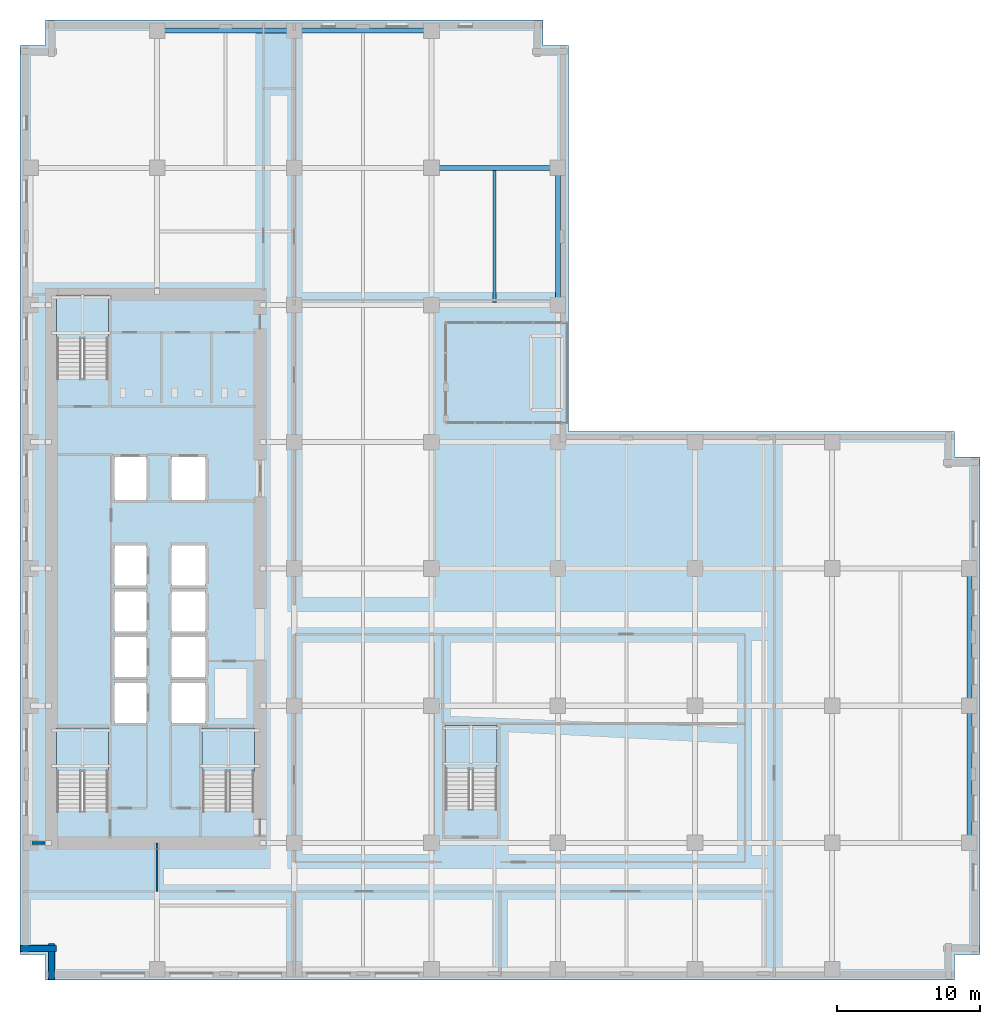
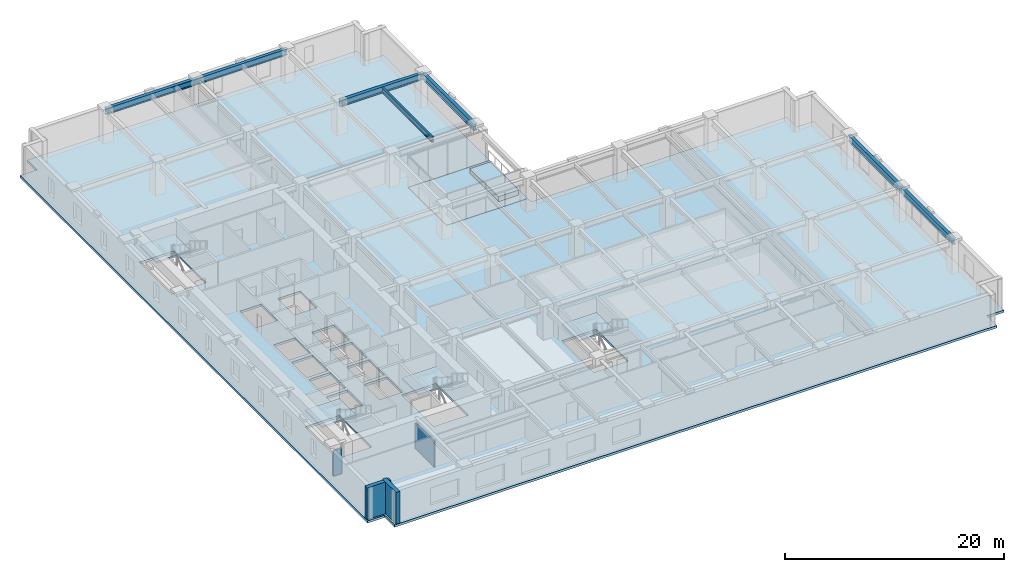
# One storey, part 3 of 16: 7 beams, 7 slabs, 4 walls, 4 elements without a shape of their own.
"""IFC4 building model written with IfcOpenShell, lengths in metres."""

import ifcopenshell
import ifcopenshell.guid

model = None  # the IFC model being written
_history = None  # IfcOwnerHistory: only IFC2X3 demands one
_inside = {}  # id of a spatial element -> (the spatial element, [elements in it])
_under = {}  # id of a project, library or spatial element -> (it, [spatial elements below it])
_declared = {}  # id of a project -> (the project, [libraries it declares])
_typed = {}  # id of a type object -> (the type object, [elements of that type])
_made_of = {}  # id of a material, layer set ... -> (it, [elements and type objects made of it])


def new_model(schema):
    """Start an empty IFC model of exactly this schema.

    Asked for "IFC4X3", IfcOpenShell would pick the latest addendum, in which some entities
    have other attributes; the version numbers below select the first issue.
    IFC2X3 requires an IfcOwnerHistory on every rooted entity: one is made here for all.
    """
    global model, _history
    if schema == "IFC4X3":
        model = ifcopenshell.file(schema_version=(4, 3, 0, 0))
    else:
        model = ifcopenshell.file(schema=schema)
    _inside.clear()
    _under.clear()
    _declared.clear()
    _typed.clear()
    _made_of.clear()
    _history = None
    if model.schema == "IFC2X3":
        org = make("IfcOrganization", Name="unknown")
        user = make(
            "IfcPersonAndOrganization",
            ThePerson=make("IfcPerson", FamilyName="unknown"),
            TheOrganization=org,
        )
        app = make(
            "IfcApplication",
            ApplicationDeveloper=org,
            Version="unknown",
            ApplicationFullName="unknown",
            ApplicationIdentifier="unknown",
        )
        _history = make(
            "IfcOwnerHistory",
            OwningUser=user,
            OwningApplication=app,
            ChangeAction="ADDED",
            CreationDate=0,
        )
    return model


def make(cls, **values):
    """One entity of the class cls with the attributes given. An attribute that is None is left unset."""
    return model.create_entity(
        cls, **{name: value for name, value in values.items() if value is not None}
    )


def rooted(cls, **values):
    """An entity with a GlobalId (a new one), such as an element, a storey or a relation."""
    return make(cls, GlobalId=ifcopenshell.guid.new(), OwnerHistory=_history, **values)


def si_unit(unit_type, name, prefix=None):
    """IfcSIUnit, for example si_unit("LENGTHUNIT", "METRE", prefix="MILLI")."""
    return make("IfcSIUnit", UnitType=unit_type, Prefix=prefix, Name=name)


def assignment(units):
    """IfcUnitAssignment: the units of a project."""
    return None if units is None else make("IfcUnitAssignment", Units=units)


def point(xyz):
    """IfcCartesianPoint."""
    return None if xyz is None else make("IfcCartesianPoint", Coordinates=xyz)


def direction(xyz):
    """IfcDirection."""
    return None if xyz is None else make("IfcDirection", DirectionRatios=xyz)


def frame(location, z_axis=None, x_axis=None):
    """IfcAxis2Placement3D, a coordinate frame: its origin and axes. An axis left out is left unset."""
    return make(
        "IfcAxis2Placement3D",
        Location=point(location),
        Axis=direction(z_axis),
        RefDirection=direction(x_axis),
    )


def frame_2d(location, x_axis=None):
    """IfcAxis2Placement2D, a coordinate frame in the plane: its origin and x axis."""
    return make(
        "IfcAxis2Placement2D", Location=point(location), RefDirection=direction(x_axis)
    )


def origin():
    """The frame at (0, 0, 0) with its axes left unset."""
    return frame((0.0, 0.0, 0.0))


def origin_2d():
    """The frame at (0, 0) in the plane with its x axis left unset."""
    return frame_2d((0.0, 0.0))


def place(relative_to, where):
    """IfcLocalPlacement: puts the frame where relative to a parent placement (None: the world)."""
    return make(
        "IfcLocalPlacement", PlacementRelTo=relative_to, RelativePlacement=where
    )


def context(
    kind, dimensions, precision=None, world=None, true_north=None, identifier=None
):
    """IfcGeometricRepresentationContext, for example the 3D "Model" context."""
    return make(
        "IfcGeometricRepresentationContext",
        ContextIdentifier=identifier,
        ContextType=kind,
        CoordinateSpaceDimension=dimensions,
        Precision=precision,
        WorldCoordinateSystem=world,
        TrueNorth=true_north,
    )


def subcontext(parent, identifier, kind, view, scale=None):
    """IfcGeometricRepresentationSubContext, for example "Body" below "Model"."""
    return make(
        "IfcGeometricRepresentationSubContext",
        ContextIdentifier=identifier,
        ContextType=kind,
        ParentContext=parent,
        TargetScale=scale,
        TargetView=view,
    )


def project(units=None, contexts=None):
    """IfcProject with its units and contexts."""
    return rooted(
        "IfcProject",
        Name="project",
        RepresentationContexts=contexts,
        UnitsInContext=assignment(units),
    )


def spatial(cls, under=None, at=None, **own):
    """A site, building, storey or space (cls), placed at a placement, below another one or the project."""
    s = rooted(cls, ObjectPlacement=at, **own)
    if under is not None:
        _under.setdefault(under.id(), (under, []))[1].append(s)
    return s


def polyline(points):
    """IfcPolyline through the points."""
    return make("IfcPolyline", Points=[point(p) for p in points])


def profile(cls, at=None, kind="AREA", **sizes):
    """A parametric profile (cls). Its sizes go by their IFC names, for example OverallWidth=200.0."""
    return make(cls, ProfileType=kind, Position=at, **sizes)


def rectangle(**sizes):
    """IfcRectangleProfileDef."""
    return profile("IfcRectangleProfileDef", **sizes)


def i_section(**sizes):
    """IfcIShapeProfileDef."""
    return profile("IfcIShapeProfileDef", **sizes)


def outline(outer, holes=None, kind="AREA"):
    """IfcArbitraryClosedProfileDef: a profile drawn as a closed curve; with holes, ...WithVoids."""
    if holes is None:
        return make("IfcArbitraryClosedProfileDef", ProfileType=kind, OuterCurve=outer)
    return make(
        "IfcArbitraryProfileDefWithVoids",
        ProfileType=kind,
        OuterCurve=outer,
        InnerCurves=holes,
    )


def extrude(swept, where, along, depth):
    """IfcExtrudedAreaSolid: the profile swept, set in the frame where, extruded along a direction by depth."""
    return make(
        "IfcExtrudedAreaSolid",
        SweptArea=swept,
        Position=where,
        ExtrudedDirection=direction(along),
        Depth=depth,
    )


def shape(context_of_items, identifier, shape_type, items):
    """IfcShapeRepresentation: the items that make up one representation, for example the "Body"."""
    return make(
        "IfcShapeRepresentation",
        ContextOfItems=context_of_items,
        RepresentationIdentifier=identifier,
        RepresentationType=shape_type,
        Items=items,
    )


def material(Name=None, Category=None):
    """IfcMaterial."""
    return make("IfcMaterial", Name=Name, Category=Category)


def layer(
    of_material, thickness, ventilated=None, Name=None, Category=None, Priority=None
):
    """IfcMaterialLayer: one layer of a wall or slab, of a material (None: an air gap)."""
    return make(
        "IfcMaterialLayer",
        Material=of_material,
        LayerThickness=thickness,
        IsVentilated=ventilated,
        Name=Name,
        Category=Category,
        Priority=Priority,
    )


def layer_set(layers, Name=None):
    """IfcMaterialLayerSet."""
    return make("IfcMaterialLayerSet", MaterialLayers=layers, LayerSetName=Name)


def material_profile(
    of_material, cross_section, Name=None, Category=None, Priority=None
):
    """IfcMaterialProfile: a cross section and its material."""
    return make(
        "IfcMaterialProfile",
        Name=Name,
        Material=of_material,
        Profile=cross_section,
        Priority=Priority,
        Category=Category,
    )


def profile_set(profiles, Name=None, composite=None):
    """IfcMaterialProfileSet."""
    return make(
        "IfcMaterialProfileSet",
        Name=Name,
        MaterialProfiles=profiles,
        CompositeProfile=composite,
    )


def made_of(thing, what):
    """Note that an element or type object is made of a material, layer set ...; save() writes the relation."""
    if what is not None:
        _made_of.setdefault(what.id(), (what, []))[1].append(thing)
    return thing


def type_object(cls, material=None, **own):
    """A type object (cls), such as IfcWallType, which elements share."""
    return made_of(rooted(cls, **own), material)


def element(
    cls,
    number,
    at=None,
    inside=None,
    cuts=None,
    type_object=None,
    material=None,
    context=None,
    identifier="Body",
    shape_type=None,
    held_by="IfcProductDefinitionShape",
    body=None,
    shapes=None,
    **own,
):
    """One element of the class cls, such as IfcWall. Its Tag is "e" and its number.

    at: its placement. inside: the storey or other place that contains it. cuts: it is an
    opening in that element (IfcRelVoidsElement). A single representation is given by context,
    identifier, shape_type and body (its items); several are given by shapes. held_by: the class
    of the entity that holds the representations. save() writes the other relations.
    """
    e = rooted(cls, Tag="e%d" % number, ObjectPlacement=at, **own)
    if body is not None:
        shapes = [shape(context, identifier, shape_type, body)]
    if shapes is not None:
        e.Representation = make(held_by, Representations=shapes)
    if inside is not None:
        _inside.setdefault(inside.id(), (inside, []))[1].append(e)
    if cuts is not None:
        rooted(
            "IfcRelVoidsElement", RelatingBuildingElement=cuts, RelatedOpeningElement=e
        )
    if type_object is not None:
        _typed.setdefault(type_object.id(), (type_object, []))[1].append(e)
    return made_of(e, material)


def aggregate(whole, parts):
    """IfcRelAggregates: a whole, such as a stair, and the parts it consists of."""
    return rooted("IfcRelAggregates", RelatingObject=whole, RelatedObjects=parts)


def save(model, path):
    """Write the relations noted so far, then the file.

    IfcRelAggregates (storeys below a building ...), IfcRelContainedInSpatialStructure (elements
    in a storey), IfcRelDefinesByType, IfcRelAssociatesMaterial and IfcRelDeclares: one each for
    every whole, place, type object, material and project.
    """
    for whole, parts in _under.values():
        aggregate(whole, parts)
    for where, things in _inside.values():
        rooted(
            "IfcRelContainedInSpatialStructure",
            RelatedElements=things,
            RelatingStructure=where,
        )
    for kind, things in _typed.values():
        rooted("IfcRelDefinesByType", RelatedObjects=things, RelatingType=kind)
    for what, things in _made_of.values():
        rooted("IfcRelAssociatesMaterial", RelatedObjects=things, RelatingMaterial=what)
    for by, libraries in _declared.values():
        rooted("IfcRelDeclares", RelatingContext=by, RelatedDefinitions=libraries)
    model.write(path)


model = new_model("IFC4")

# Units and contexts
model_context = context("Model", 3, precision=1e-05, world=origin(), true_north=direction((0.0, 1.0)))
body_context = subcontext(model_context, "Body", "Model", "MODEL_VIEW")
ifc_project = project(units=[si_unit("LENGTHUNIT", "METRE"), si_unit("AREAUNIT", "SQUARE_METRE"), si_unit("VOLUMEUNIT", "CUBIC_METRE"), si_unit("PLANEANGLEUNIT", "RADIAN"), si_unit("MASSUNIT", "GRAM", prefix="KILO")], contexts=[model_context])

# Site, building, storey
site_placement = place(None, origin())
site = spatial("IfcSite", under=ifc_project, at=site_placement, CompositionType="ELEMENT")
building_placement = place(site_placement, origin())
building = spatial("IfcBuilding", under=site, at=building_placement, Name="Norrvale University Quadrangle", CompositionType="ELEMENT")
storey_placement = place(building_placement, frame((0.0, 0.0, 58.39990234375)))
storey = spatial("IfcBuildingStorey", under=building, at=storey_placement, Name="L14", CompositionType="ELEMENT", Elevation=58.39990234375)

# Beams
ifc_material_1 = material(Name="Steel 350W", Category="steel")
ifc_material_profile_1 = material_profile(ifc_material_1, i_section(OverallWidth=0.35498046875, OverallDepth=0.695068359375, WebThickness=0.015380859375, FlangeThickness=0.02490234375, FilletRadius=0.01806640625, at=origin_2d()), Name="Steel 350W")
ifc_profile_set_1 = profile_set([ifc_material_profile_1], Name="Steel 350W")
beam_type_1 = type_object("IfcBeamType", Name="Beam Belt W690x217", PredefinedType="BEAM", material=ifc_profile_set_1)
beam_1_placement = place(storey_placement, frame((28.800048828125, 56.85009765625, 3.192626953125), z_axis=(1.0, 0.0, 0.0), x_axis=(0.0, 1.0, 0.0)))
element("IfcBeam", 1, at=beam_1_placement, inside=storey, type_object=beam_type_1, Name="Beam Belt W690x217 BM-L14-GX030", PredefinedType="BEAM", context=body_context, shape_type="SweptSolid", body=[
    extrude(i_section(OverallWidth=0.35498046875, OverallDepth=0.695068359375, WebThickness=0.015380859375, FlangeThickness=0.02490234375, FilletRadius=0.01806640625, at=origin_2d()), origin(), (0.0, 0.0, 1.0), 8.849853515625),
])
beam_2_placement = place(storey_placement, frame((9.60009765625, 66.449951171875, 3.192626953125), z_axis=(1.0, 0.0, 0.0), x_axis=(0.0, 1.0, 0.0)))
element("IfcBeam", 2, at=beam_2_placement, inside=storey, type_object=beam_type_1, Name="Beam Belt W690x217 BM-L14-GX031", PredefinedType="BEAM", context=body_context, shape_type="SweptSolid", body=[
    extrude(i_section(OverallWidth=0.35498046875, OverallDepth=0.695068359375, WebThickness=0.015380859375, FlangeThickness=0.02490234375, FilletRadius=0.01806640625, at=origin_2d()), origin(), (0.0, 0.0, 1.0), 9.599853515625),
])
for number, where, z_axis, x_axis, name in (
    (3, (19.199951171875, 66.449951171875, 3.192626953125), (1.0, 0.0, 0.0), (0.0, 1.0, 0.0), "Beam Belt W690x217 BM-L14-GX032"),
    (4, (37.64990234375, 47.25, 3.192626953125), (0.0, 1.0, 0.0), (-1.0, 0.0, 0.0), "Beam Belt W690x217 BM-L14-GY058"),
):
    element("IfcBeam", number, at=place(storey_placement, frame(where, z_axis=z_axis, x_axis=x_axis)), inside=storey, type_object=beam_type_1, Name=name, PredefinedType="BEAM", context=body_context, shape_type="SweptSolid", body=[
        extrude(i_section(OverallWidth=0.35498046875, OverallDepth=0.695068359375, WebThickness=0.015380859375, FlangeThickness=0.02490234375, FilletRadius=0.01806640625, at=origin_2d()), origin(), (0.0, 0.0, 1.0), 9.60009765625),
    ])
beam_3_placement = place(storey_placement, frame((66.449951171875, 9.60009765625, 3.192626953125), z_axis=(0.0, 1.0, 0.0), x_axis=(-1.0, 0.0, 0.0)))
element("IfcBeam", 5, at=beam_3_placement, inside=storey, type_object=beam_type_1, Name="Beam Belt W690x217 BM-L14-GY067", PredefinedType="BEAM", context=body_context, shape_type="SweptSolid", body=[
    extrude(i_section(OverallWidth=0.35498046875, OverallDepth=0.695068359375, WebThickness=0.015380859375, FlangeThickness=0.02490234375, FilletRadius=0.01806640625, at=origin_2d()), origin(), (0.0, 0.0, 1.0), 9.599853515625),
])
beam_4_placement = place(storey_placement, frame((66.449951171875, 19.199951171875, 3.192626953125), z_axis=(0.0, 1.0, 0.0), x_axis=(-1.0, 0.0, 0.0)))
element("IfcBeam", 6, at=beam_4_placement, inside=storey, type_object=beam_type_1, Name="Beam Belt W690x217 BM-L14-GY068", PredefinedType="BEAM", context=body_context, shape_type="SweptSolid", body=[
    extrude(i_section(OverallWidth=0.35498046875, OverallDepth=0.695068359375, WebThickness=0.015380859375, FlangeThickness=0.02490234375, FilletRadius=0.01806640625, at=origin_2d()), origin(), (0.0, 0.0, 1.0), 9.60009765625),
])
ifc_material_profile_2 = material_profile(ifc_material_1, i_section(OverallWidth=0.2119140625, OverallDepth=0.5439453125, WebThickness=0.01318359375, FlangeThickness=0.021240234375, FilletRadius=0.013916015625, at=origin_2d()), Name="Steel 350W")
ifc_profile_set_2 = profile_set([ifc_material_profile_2], Name="Steel 350W")
beam_type_2 = type_object("IfcBeamType", Name="Beam Floor W530x123", PredefinedType="BEAM", material=ifc_profile_set_2)
beam_5_placement = place(storey_placement, frame((33.22509765625, 47.427490234375, 3.26806640625), z_axis=(0.0, 1.0, 0.0), x_axis=(-1.0, 0.0, 0.0)))
element("IfcBeam", 7, at=beam_5_placement, inside=storey, type_object=beam_type_2, Name="Beam Floor W530x123 BM-L14-J090", PredefinedType="BEAM", context=body_context, shape_type="SweptSolid", body=[
    extrude(i_section(OverallWidth=0.2119140625, OverallDepth=0.5439453125, WebThickness=0.01318359375, FlangeThickness=0.021240234375, FilletRadius=0.013916015625, at=origin_2d()), origin(), (0.0, 0.0, 1.0), 9.2451171875),
])

# Stair, slab
ifc_material_2 = material(Name="Concrete C40/50", Category="concrete")
stair_type = type_object("IfcStairType", Name="Stair Tower Typ 3800", PredefinedType="TWO_STRAIGHT_RUN_STAIR", material=ifc_material_2)
stair_1_placement = place(storey_placement, origin())
stair_1 = element("IfcStair", 8, at=stair_1_placement, inside=storey, type_object=stair_type, Name="Exit Stair ST-01 L14", PredefinedType="TWO_STRAIGHT_RUN_STAIR")
ifc_layer_1 = layer(ifc_material_2, 0.199951171875, Name="Concrete C40/50")
ifc_layer_set_1 = layer_set([ifc_layer_1], Name="Concrete C40/50")
slab_type_1 = type_object("IfcSlabType", Name="Slab Landing 200", PredefinedType="LANDING", material=ifc_layer_set_1)
slab_1_placement = place(storey_placement, frame((0.0, 0.0, 1.7001953125)))
slab_1 = element("IfcSlab", 9, at=slab_1_placement, type_object=slab_type_1, Name="Exit Stair ST-01 L14 Mid Landing", PredefinedType="LANDING", context=body_context, shape_type="SweptSolid", body=[
    extrude(outline(polyline([(2.550048828125, 14.590087890625), (6.199951171875, 14.590087890625), (6.199951171875, 17.64990234375), (2.550048828125, 17.64990234375), (2.550048828125, 14.590087890625)])), origin(), (0.0, 0.0, 1.0), 0.199951171875),
])
aggregate(stair_1, [slab_1])

stair_2_placement = place(storey_placement, origin())
stair_2 = element("IfcStair", 10, at=stair_2_placement, inside=storey, type_object=stair_type, Name="Exit Stair ST-02 L14", PredefinedType="TWO_STRAIGHT_RUN_STAIR")
slab_2_placement = place(storey_placement, frame((0.0, 0.0, 1.7001953125)))
slab_2 = element("IfcSlab", 11, at=slab_2_placement, type_object=slab_type_1, Name="Exit Stair ST-02 L14 Mid Landing", PredefinedType="LANDING", context=body_context, shape_type="SweptSolid", body=[
    extrude(outline(polyline([(2.550048828125, 44.889892578125), (6.199951171875, 44.889892578125), (6.199951171875, 47.949951171875), (2.550048828125, 47.949951171875), (2.550048828125, 44.889892578125)])), origin(), (0.0, 0.0, 1.0), 0.199951171875),
])
aggregate(stair_2, [slab_2])

stair_3_placement = place(storey_placement, origin())
stair_3 = element("IfcStair", 12, at=stair_3_placement, inside=storey, type_object=stair_type, Name="Exit Stair ST-03 L14", PredefinedType="TWO_STRAIGHT_RUN_STAIR")
slab_3_placement = place(storey_placement, frame((0.0, 0.0, 1.7001953125)))
slab_3 = element("IfcSlab", 13, at=slab_3_placement, type_object=slab_type_1, Name="Exit Stair ST-03 L14 Mid Landing", PredefinedType="LANDING", context=body_context, shape_type="SweptSolid", body=[
    extrude(outline(polyline([(12.75, 14.590087890625), (16.39990234375, 14.590087890625), (16.39990234375, 17.64990234375), (12.75, 17.64990234375), (12.75, 14.590087890625)])), origin(), (0.0, 0.0, 1.0), 0.199951171875),
])
aggregate(stair_3, [slab_3])

stair_4_placement = place(storey_placement, origin())
stair_4 = element("IfcStair", 14, at=stair_4_placement, inside=storey, type_object=stair_type, Name="Exit Stair ST-04 L14", PredefinedType="TWO_STRAIGHT_RUN_STAIR")
slab_4_placement = place(storey_placement, frame((0.0, 0.0, 1.7001953125)))
slab_4 = element("IfcSlab", 15, at=slab_4_placement, type_object=slab_type_1, Name="Exit Stair ST-04 L14 Mid Landing", PredefinedType="LANDING", context=body_context, shape_type="SweptSolid", body=[
    extrude(outline(polyline([(29.75, 14.739990234375), (33.39990234375, 14.739990234375), (33.39990234375, 17.800048828125), (29.75, 17.800048828125), (29.75, 14.739990234375)])), origin(), (0.0, 0.0, 1.0), 0.199951171875),
])
aggregate(stair_4, [slab_4])

# Slabs
ifc_material_3 = material(Name="Planted Soil Growing Medium")
ifc_layer_2 = layer(ifc_material_3, 0.570068359375, Name="Planted Soil Growing Medium")
ifc_layer_set_2 = layer_set([ifc_layer_2], Name="Planted Soil Growing Medium")
slab_type_2 = type_object("IfcSlabType", Name="Slab Planter Soil 550", PredefinedType="USERDEFINED", material=ifc_layer_set_2)
slab_5_placement = place(storey_placement, frame((0.0, 0.0, -0.02001953125)))
element("IfcSlab", 16, at=slab_5_placement, inside=storey, type_object=slab_type_2, Name="Sky Garden Planted Soil Bed L14", ObjectType="PLANTER", PredefinedType="USERDEFINED", context=body_context, shape_type="SweptSolid", body=[
    extrude(outline(polyline([(35.800048828125, 39.89990234375), (37.949951171875, 39.89990234375), (37.949951171875, 45.10009765625), (35.800048828125, 45.10009765625), (35.800048828125, 39.89990234375)])), origin(), (0.0, 0.0, 1.0), 0.570068359375),
])
ifc_material_4 = material(Name="Concrete C50/60", Category="concrete")
ifc_layer_3 = layer(ifc_material_4, 0.300048828125, Name="Concrete C50/60")
ifc_layer_set_3 = layer_set([ifc_layer_3], Name="Concrete C50/60")
slab_type_3 = type_object("IfcSlabType", Name="Slab Sky Garden 300", PredefinedType="ROOF", material=ifc_layer_set_3)
slab_6_placement = place(storey_placement, frame((0.0, 0.0, -0.2998046875)))
element("IfcSlab", 17, at=slab_6_placement, inside=storey, type_object=slab_type_3, Name="Planted Sky Garden Terrace Slab L14", PredefinedType="ROOF", context=body_context, shape_type="SweptSolid", body=[
    extrude(outline(polyline([(29.800048828125, 39.0), (38.39990234375, 39.0), (38.39990234375, 46.0), (29.800048828125, 46.0), (29.800048828125, 39.0)])), origin(), (0.0, 0.0, 1.0), 0.2998046875),
])
ifc_layer_4 = layer(ifc_material_2, 0.260009765625, Name="Concrete C40/50")
ifc_layer_set_4 = layer_set([ifc_layer_4], Name="Concrete C40/50")
slab_type_4 = type_object("IfcSlabType", Name="Slab Tower Typ 260", PredefinedType="FLOOR", material=ifc_layer_set_4)
slab_7_placement = place(storey_placement, frame((0.0, 0.0, -0.260009765625)))
element("IfcSlab", 18, at=slab_7_placement, inside=storey, type_object=slab_type_4, Name="Tower L14 Floor Slab", PredefinedType="FLOOR", context=body_context, shape_type="SweptSolid", body=[
    extrude(outline(polyline([(38.39990234375, 38.39990234375), (65.39990234375, 38.39990234375), (65.39990234375, 36.60009765625), (67.199951171875, 36.60009765625), (67.199951171875, 1.800048828125), (65.39990234375, 1.800048828125), (65.39990234375, 0.0), (1.800048828125, 0.0), (1.800048828125, 1.800048828125), (0.0, 1.800048828125), (0.0, 65.39990234375), (1.800048828125, 65.39990234375), (1.800048828125, 67.199951171875), (36.60009765625, 67.199951171875), (36.60009765625, 65.39990234375), (38.39990234375, 65.39990234375), (38.39990234375, 46.0), (29.800048828125, 46.0), (29.800048828125, 39.0), (38.39990234375, 39.0), (38.39990234375, 38.39990234375)]), holes=[polyline([(2.550048828125, 11.81005859375), (6.199951171875, 11.81005859375), (6.199951171875, 17.64990234375), (2.550048828125, 17.64990234375), (2.550048828125, 11.81005859375)]), polyline([(2.550048828125, 42.110107421875), (6.199951171875, 42.110107421875), (6.199951171875, 47.949951171875), (2.550048828125, 47.949951171875), (2.550048828125, 42.110107421875)]), polyline([(12.75, 11.81005859375), (16.39990234375, 11.81005859375), (16.39990234375, 17.64990234375), (12.75, 17.64990234375), (12.75, 11.81005859375)]), polyline([(29.75, 11.9599609375), (33.39990234375, 11.9599609375), (33.39990234375, 17.800048828125), (29.75, 17.800048828125), (29.75, 11.9599609375)]), polyline([(6.60009765625, 18.0), (8.85009765625, 18.0), (8.85009765625, 20.800048828125), (6.60009765625, 20.800048828125), (6.60009765625, 18.0)]), polyline([(6.60009765625, 21.199951171875), (8.85009765625, 21.199951171875), (8.85009765625, 24.0), (6.60009765625, 24.0), (6.60009765625, 21.199951171875)]), polyline([(6.60009765625, 24.39990234375), (8.85009765625, 24.39990234375), (8.85009765625, 27.199951171875), (6.60009765625, 27.199951171875), (6.60009765625, 24.39990234375)]), polyline([(6.60009765625, 27.60009765625), (8.85009765625, 27.60009765625), (8.85009765625, 30.39990234375), (6.60009765625, 30.39990234375), (6.60009765625, 27.60009765625)]), polyline([(10.60009765625, 18.0), (13.0, 18.0), (13.0, 20.800048828125), (10.60009765625, 20.800048828125), (10.60009765625, 18.0)]), polyline([(10.60009765625, 21.199951171875), (13.0, 21.199951171875), (13.0, 24.0), (10.60009765625, 24.0), (10.60009765625, 21.199951171875)]), polyline([(10.60009765625, 24.39990234375), (13.0, 24.39990234375), (13.0, 27.199951171875), (10.60009765625, 27.199951171875), (10.60009765625, 24.39990234375)]), polyline([(10.60009765625, 27.60009765625), (13.0, 27.60009765625), (13.0, 30.39990234375), (10.60009765625, 30.39990234375), (10.60009765625, 27.60009765625)]), polyline([(6.60009765625, 33.60009765625), (8.85009765625, 33.60009765625), (8.85009765625, 36.60009765625), (6.60009765625, 36.60009765625), (6.60009765625, 33.60009765625)]), polyline([(10.60009765625, 33.60009765625), (13.0, 33.60009765625), (13.0, 36.60009765625), (10.60009765625, 36.60009765625), (10.60009765625, 33.60009765625)])]), origin(), (0.0, 0.0, 1.0), 0.260009765625),
])

# Walls
ifc_material_5 = material(Name="Buff Norman Clay Brick Masonry", Category="masonry")
ifc_layer_5 = layer(ifc_material_5, 0.419921875, Name="Buff Norman Clay Brick Masonry")
ifc_layer_set_5 = layer_set([ifc_layer_5], Name="Buff Norman Clay Brick Masonry")
wall_type_1 = type_object("IfcWallType", Name="Wall Buff Brick 420", PredefinedType="SOLIDWALL", material=ifc_layer_set_5)
for number, where, z_axis, x_axis, name in (
    (19, (0.0400390625, 2.18994140625, 0.0), (0.0, 0.0, 1.0), (1.0, 0.0, 0.0), "Exterior Brick Facade Wall L14-15.1"),
    (20, (2.18994140625, 2.5400390625, 0.0), (0.0, 0.0, 1.0), (0.0, -1.0, 0.0), "Exterior Brick Facade Wall L14-16.1"),
):
    element("IfcWall", number, at=place(storey_placement, frame(where, z_axis=z_axis, x_axis=x_axis)), inside=storey, type_object=wall_type_1, Name=name, PredefinedType="SOLIDWALL", context=body_context, shape_type="SweptSolid", body=[
        extrude(rectangle(XDim=2.5, YDim=0.419921875, at=frame_2d((1.25, 0.0))), origin(), (0.0, 0.0, 1.0), 3.5400390625),
    ])
ifc_material_6 = material(Name="Fire-Rated Gypsum Stud Partition")
ifc_layer_6 = layer(ifc_material_6, 0.14990234375, Name="Fire-Rated Gypsum Stud Partition")
ifc_layer_set_6 = layer_set([ifc_layer_6], Name="Fire-Rated Gypsum Stud Partition")
wall_type_2 = type_object("IfcWallType", Name="Wall Gypsum Corridor 150", PredefinedType="PARTITIONING", material=ifc_layer_set_6)
wall_1_placement = place(storey_placement, frame((9.60009765625, 6.199951171875, 0.0), z_axis=(0.0, 0.0, 1.0), x_axis=(0.0, 1.0, 0.0)))
element("IfcWall", 21, at=wall_1_placement, inside=storey, type_object=wall_type_2, Name="Interior Partition WL-L14-CSW-END", PredefinedType="PARTITIONING", context=body_context, shape_type="SweptSolid", body=[
    extrude(rectangle(XDim=3.400146484375, YDim=0.14990234375, at=frame_2d((1.7001953125, 0.0))), origin(), (0.0, 0.0, 1.0), 2.84521484375),
])
ifc_material_7 = material(Name="Concrete Blockwork 20 MPa Rated Wall", Category="masonry")
ifc_layer_7 = layer(ifc_material_7, 0.199951171875, Name="Concrete Blockwork 20 MPa Rated Wall")
ifc_layer_set_7 = layer_set([ifc_layer_7], Name="Concrete Blockwork 20 MPa Rated Wall")
wall_type_3 = type_object("IfcWallType", Name="Wall Lobby 200", PredefinedType="SOLIDWALL", material=ifc_layer_set_7)
wall_2_placement = place(storey_placement, frame((0.85009765625, 9.60009765625, 0.0), z_axis=(0.0, 0.0, 1.0), x_axis=(1.0, 0.0, 0.0)))
element("IfcWall", 22, at=wall_2_placement, inside=storey, type_object=wall_type_3, Name="Interior Partition WL-L14-CWRET-S", PredefinedType="SOLIDWALL", context=body_context, shape_type="SweptSolid", body=[
    extrude(rectangle(XDim=0.89501953125, YDim=0.199951171875, at=frame_2d((0.447509765625, 0.0))), origin(), (0.0, 0.0, 1.0), 2.84521484375),
])

save(model, "model.ifc")
